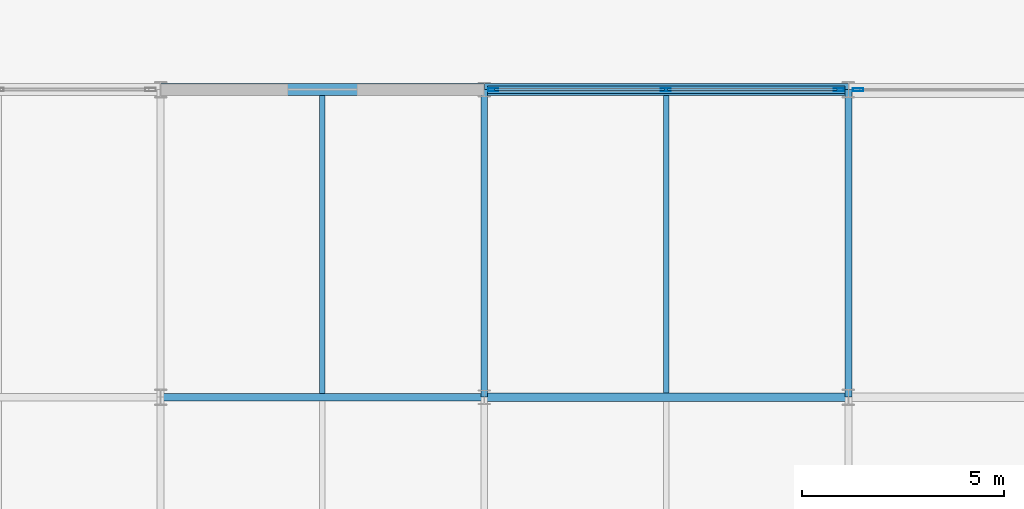
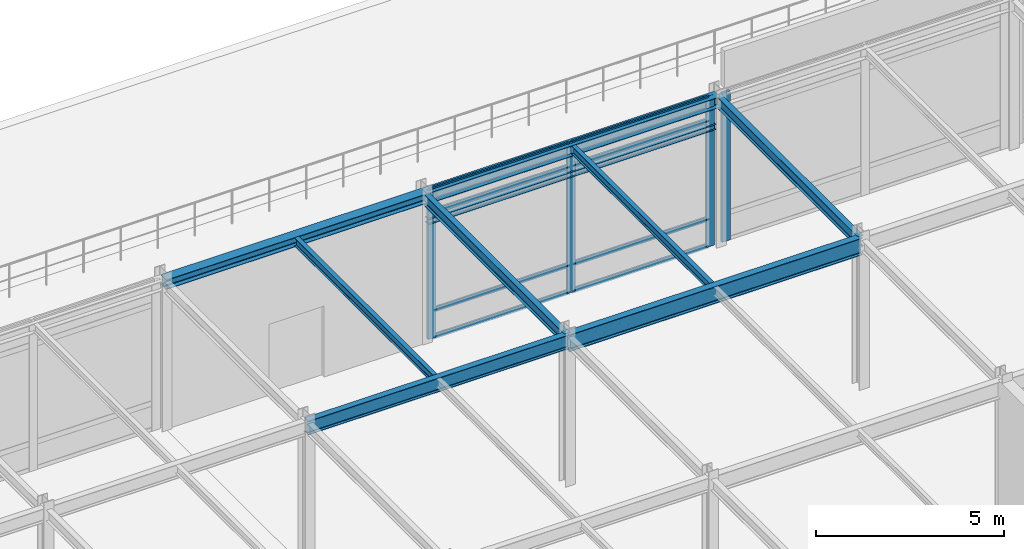
# One storey, part 43 of 79: 12 members, 9 beams, 2 elements without a shape of their own.
"""IFC4 building model written with IfcOpenShell, lengths in metres."""

from ifc_helpers import new_model, si_unit, direction, frame, origin, origin_2d, place, context, subcontext, project, spatial, hollow_rectangle, i_section, extrude, material, layer, layer_set, material_profile, profile_set, type_object, element, aggregate, save


model = new_model("IFC4")

# Units and contexts
model_context = context("Model", 3, precision=1e-05, world=origin(), true_north=direction((0.0, 1.0)))
body_context = subcontext(model_context, "Body", "Model", "MODEL_VIEW")
ifc_project = project(units=[si_unit("LENGTHUNIT", "METRE"), si_unit("AREAUNIT", "SQUARE_METRE"), si_unit("VOLUMEUNIT", "CUBIC_METRE"), si_unit("PLANEANGLEUNIT", "RADIAN"), si_unit("MASSUNIT", "GRAM", prefix="KILO")], contexts=[model_context])

# Site, building, storey
site_placement = place(None, origin())
site = spatial("IfcSite", under=ifc_project, at=site_placement, CompositionType="ELEMENT")
building_placement = place(site_placement, origin())
building = spatial("IfcBuilding", under=site, at=building_placement, Name="Shalkamar Park Central Library", CompositionType="ELEMENT")
storey_placement = place(building_placement, frame((0.0, 0.0, 10.5)))
storey = spatial("IfcBuildingStorey", under=building, at=storey_placement, Name="L03", CompositionType="ELEMENT", Elevation=10.5)

# Beams
ifc_material_1 = material(Name="Steel S355", Category="steel")
ifc_material_profile_1 = material_profile(ifc_material_1, i_section(OverallWidth=0.135009765625, OverallDepth=0.27001953125, WebThickness=0.006591796875, FlangeThickness=0.01025390625, FilletRadius=0.014892578125, at=origin_2d()), Name="IPE 270")
ifc_profile_set_1 = profile_set([ifc_material_profile_1], Name="Steel S355")
beam_type_1 = type_object("IfcBeamType", Name="Composite Floor Joist IPE270", PredefinedType="JOIST", material=ifc_profile_set_1)
beam_1_placement = place(storey_placement, frame((233.0, 316.093017578125, 4.705078125), z_axis=(0.0, 1.0, 0.0), x_axis=(-1.0, 0.0, 0.0)))
element("IfcBeam", 1, at=beam_1_placement, inside=storey, type_object=beam_type_1, Name="Composite Joist 15/L-1 (L03)", PredefinedType="JOIST", context=body_context, shape_type="SweptSolid", body=[
    extrude(i_section(OverallWidth=0.135009765625, OverallDepth=0.27001953125, WebThickness=0.006591796875, FlangeThickness=0.01025390625, FilletRadius=0.014892578125, at=origin_2d()), origin(), (0.0, 0.0, 1.0), 7.35888671875),
])
beam_2_placement = place(storey_placement, frame((241.5, 316.10302734375, 4.705078125), z_axis=(0.0, 1.0, 0.0), x_axis=(-1.0, 0.0, 0.0)))
element("IfcBeam", 2, at=beam_2_placement, inside=storey, type_object=beam_type_1, Name="Composite Joist 16/L-1 (L03)", PredefinedType="JOIST", context=body_context, shape_type="SweptSolid", body=[
    extrude(i_section(OverallWidth=0.135009765625, OverallDepth=0.27001953125, WebThickness=0.006591796875, FlangeThickness=0.01025390625, FilletRadius=0.014892578125, at=origin_2d()), origin(), (0.0, 0.0, 1.0), 7.348876953125),
])

# Curtain wall, members
ifc_material_2 = material(Name="Thermally broken aluminium and triple low-e curtain wall", Category="aluminium")
ifc_layer_1 = layer(ifc_material_2, 0.25)
ifc_layer_set_1 = layer_set([ifc_layer_1], Name="UnitisedCurtainWall_46")
curtain_wall_type_1 = type_object("IfcCurtainWallType", Name="Unitised Curtain Wall 46", PredefinedType="USERDEFINED", material=ifc_layer_set_1)
curtain_wall_1_placement = place(storey_placement, origin())
curtain_wall_1 = element("IfcCurtainWall", 3, at=curtain_wall_1_placement, inside=storey, type_object=curtain_wall_type_1, Name="Unitised Curtain Wall CW-L03-056", ObjectType="UNITISED CURTAIN WALL", PredefinedType="USERDEFINED")
ifc_material_3 = material(Name="Aluminium 6060-T66", Category="aluminium")
ifc_material_profile_2 = material_profile(ifc_material_3, hollow_rectangle(XDim=0.074951171875, YDim=0.25, WallThickness=0.00390625, InnerFilletRadius=0.00390625, OuterFilletRadius=0.006103515625, at=origin_2d()), Name="ALU 75x250x4")
ifc_profile_set_2 = profile_set([ifc_material_profile_2], Name="Aluminium 6060-T66")
member_type_1 = type_object("IfcMemberType", Name="Curtain Wall Mullion ALU75x250", PredefinedType="MULLION", material=ifc_profile_set_2)
member_1_placement = place(storey_placement, frame((237.221435546875, 323.60009765625, 0.0), z_axis=(0.0, 0.0, 1.0), x_axis=(0.0, 1.0, 0.0)))
member_1 = element("IfcMember", 4, at=member_1_placement, type_object=member_type_1, Name="CW-46 mullion 1", PredefinedType="MULLION", context=body_context, shape_type="SweptSolid", body=[
    extrude(hollow_rectangle(XDim=0.074951171875, YDim=0.25, WallThickness=0.00390625, InnerFilletRadius=0.00390625, OuterFilletRadius=0.006103515625, at=origin_2d()), origin(), (0.0, 0.0, 1.0), 4.840087890625),
])
member_2_placement = place(storey_placement, frame((241.489990234375, 323.60009765625, 0.0), z_axis=(0.0, 0.0, 1.0), x_axis=(0.0, 1.0, 0.0)))
member_2 = element("IfcMember", 5, at=member_2_placement, type_object=member_type_1, Name="CW-46 mullion 2", PredefinedType="MULLION", context=body_context, shape_type="SweptSolid", body=[
    extrude(hollow_rectangle(XDim=0.074951171875, YDim=0.25, WallThickness=0.00390625, InnerFilletRadius=0.00390625, OuterFilletRadius=0.006103515625, at=origin_2d()), origin(), (0.0, 0.0, 1.0), 4.840087890625),
])
member_3_placement = place(storey_placement, frame((245.758544921875, 323.60009765625, 0.0), z_axis=(0.0, 0.0, 1.0), x_axis=(0.0, 1.0, 0.0)))
member_3 = element("IfcMember", 6, at=member_3_placement, type_object=member_type_1, Name="CW-46 mullion 3", PredefinedType="MULLION", context=body_context, shape_type="SweptSolid", body=[
    extrude(hollow_rectangle(XDim=0.074951171875, YDim=0.25, WallThickness=0.00390625, InnerFilletRadius=0.00390625, OuterFilletRadius=0.006103515625, at=origin_2d()), origin(), (0.0, 0.0, 1.0), 4.840087890625),
])

# Curtain wall, member
ifc_layer_2 = layer(ifc_material_2, 0.260009765625)
ifc_layer_set_2 = layer_set([ifc_layer_2], Name="UnitisedCurtainWall_47")
curtain_wall_type_2 = type_object("IfcCurtainWallType", Name="Unitised Curtain Wall 47", PredefinedType="USERDEFINED", material=ifc_layer_set_2)
curtain_wall_2_placement = place(storey_placement, origin())
curtain_wall_2 = element("IfcCurtainWall", 7, at=curtain_wall_2_placement, inside=storey, type_object=curtain_wall_type_2, Name="Unitised Curtain Wall CW-L03-057", ObjectType="UNITISED CURTAIN WALL", PredefinedType="USERDEFINED")
ifc_material_profile_3 = material_profile(ifc_material_3, hollow_rectangle(XDim=0.074951171875, YDim=0.260009765625, WallThickness=0.00439453125, InnerFilletRadius=0.00439453125, OuterFilletRadius=0.0068359375, at=origin_2d()), Name="ALU 75x260x4.5")
ifc_profile_set_3 = profile_set([ifc_material_profile_3], Name="Aluminium 6060-T66")
member_type_2 = type_object("IfcMemberType", Name="Curtain Wall Mullion ALU75x260", PredefinedType="MULLION", material=ifc_profile_set_3)
member_4_placement = place(storey_placement, frame((246.241455078125, 323.60009765625, 0.0), z_axis=(0.0, 0.0, 1.0), x_axis=(0.0, 1.0, 0.0)))
member_4 = element("IfcMember", 8, at=member_4_placement, type_object=member_type_2, Name="CW-47 mullion 1", PredefinedType="MULLION", context=body_context, shape_type="SweptSolid", body=[
    extrude(hollow_rectangle(XDim=0.074951171875, YDim=0.260009765625, WallThickness=0.00439453125, InnerFilletRadius=0.00439453125, OuterFilletRadius=0.0068359375, at=origin_2d()), origin(), (0.0, 0.0, 1.0), 4.840087890625),
])
aggregate(curtain_wall_2, [member_4])

# Member
ifc_material_profile_4 = material_profile(ifc_material_3, hollow_rectangle(XDim=0.06005859375, YDim=0.159912109375, WallThickness=0.00390625, InnerFilletRadius=0.00390625, OuterFilletRadius=0.006103515625, at=origin_2d()), Name="ALU 60x160x4")
ifc_profile_set_4 = profile_set([ifc_material_profile_4], Name="Aluminium 6060-T66")
member_type_3 = type_object("IfcMemberType", Name="Curtain Wall Transom ALU60x160", PredefinedType="USERDEFINED", material=ifc_profile_set_4)
member_5_placement = place(storey_placement, frame((237.259033203125, 323.60009765625, 0.030029296875), z_axis=(1.0, 0.0, 0.0), x_axis=(0.0, 1.0, 0.0)))
member_5 = element("IfcMember", 9, at=member_5_placement, type_object=member_type_3, Name="CW-46 transom 1.1", ObjectType="TRANSOM", PredefinedType="USERDEFINED", context=body_context, shape_type="SweptSolid", body=[
    extrude(hollow_rectangle(XDim=0.06005859375, YDim=0.159912109375, WallThickness=0.00390625, InnerFilletRadius=0.00390625, OuterFilletRadius=0.006103515625, at=origin_2d()), origin(), (0.0, 0.0, 1.0), 4.193359375),
])

member_6_placement = place(storey_placement, frame((237.259033203125, 323.60009765625, 0.89990234375), z_axis=(1.0, 0.0, 0.0), x_axis=(0.0, 1.0, 0.0)))
member_6 = element("IfcMember", 10, at=member_6_placement, type_object=member_type_3, Name="CW-46 transom 1.2", ObjectType="TRANSOM", PredefinedType="USERDEFINED", context=body_context, shape_type="SweptSolid", body=[
    extrude(hollow_rectangle(XDim=0.06005859375, YDim=0.159912109375, WallThickness=0.00390625, InnerFilletRadius=0.00390625, OuterFilletRadius=0.006103515625, at=origin_2d()), origin(), (0.0, 0.0, 1.0), 4.193359375),
])

member_7_placement = place(storey_placement, frame((237.259033203125, 323.60009765625, 4.090087890625), z_axis=(1.0, 0.0, 0.0), x_axis=(0.0, 1.0, 0.0)))
member_7 = element("IfcMember", 11, at=member_7_placement, type_object=member_type_3, Name="CW-46 transom 1.3", ObjectType="TRANSOM", PredefinedType="USERDEFINED", context=body_context, shape_type="SweptSolid", body=[
    extrude(hollow_rectangle(XDim=0.06005859375, YDim=0.159912109375, WallThickness=0.00390625, InnerFilletRadius=0.00390625, OuterFilletRadius=0.006103515625, at=origin_2d()), origin(), (0.0, 0.0, 1.0), 4.193359375),
])

member_8_placement = place(storey_placement, frame((237.259033203125, 323.60009765625, 4.81005859375), z_axis=(1.0, 0.0, 0.0), x_axis=(0.0, 1.0, 0.0)))
member_8 = element("IfcMember", 12, at=member_8_placement, type_object=member_type_3, Name="CW-46 transom 1.4", ObjectType="TRANSOM", PredefinedType="USERDEFINED", context=body_context, shape_type="SweptSolid", body=[
    extrude(hollow_rectangle(XDim=0.06005859375, YDim=0.159912109375, WallThickness=0.00390625, InnerFilletRadius=0.00390625, OuterFilletRadius=0.006103515625, at=origin_2d()), origin(), (0.0, 0.0, 1.0), 4.193359375),
])

member_9_placement = place(storey_placement, frame((241.527587890625, 323.60009765625, 0.030029296875), z_axis=(1.0, 0.0, 0.0), x_axis=(0.0, 1.0, 0.0)))
member_9 = element("IfcMember", 13, at=member_9_placement, type_object=member_type_3, Name="CW-46 transom 2.1", ObjectType="TRANSOM", PredefinedType="USERDEFINED", context=body_context, shape_type="SweptSolid", body=[
    extrude(hollow_rectangle(XDim=0.06005859375, YDim=0.159912109375, WallThickness=0.00390625, InnerFilletRadius=0.00390625, OuterFilletRadius=0.006103515625, at=origin_2d()), origin(), (0.0, 0.0, 1.0), 4.193359375),
])

member_10_placement = place(storey_placement, frame((241.527587890625, 323.60009765625, 0.89990234375), z_axis=(1.0, 0.0, 0.0), x_axis=(0.0, 1.0, 0.0)))
member_10 = element("IfcMember", 14, at=member_10_placement, type_object=member_type_3, Name="CW-46 transom 2.2", ObjectType="TRANSOM", PredefinedType="USERDEFINED", context=body_context, shape_type="SweptSolid", body=[
    extrude(hollow_rectangle(XDim=0.06005859375, YDim=0.159912109375, WallThickness=0.00390625, InnerFilletRadius=0.00390625, OuterFilletRadius=0.006103515625, at=origin_2d()), origin(), (0.0, 0.0, 1.0), 4.193359375),
])

member_11_placement = place(storey_placement, frame((241.527587890625, 323.60009765625, 4.090087890625), z_axis=(1.0, 0.0, 0.0), x_axis=(0.0, 1.0, 0.0)))
member_11 = element("IfcMember", 15, at=member_11_placement, type_object=member_type_3, Name="CW-46 transom 2.3", ObjectType="TRANSOM", PredefinedType="USERDEFINED", context=body_context, shape_type="SweptSolid", body=[
    extrude(hollow_rectangle(XDim=0.06005859375, YDim=0.159912109375, WallThickness=0.00390625, InnerFilletRadius=0.00390625, OuterFilletRadius=0.006103515625, at=origin_2d()), origin(), (0.0, 0.0, 1.0), 4.193359375),
])

member_12_placement = place(storey_placement, frame((241.527587890625, 323.60009765625, 4.81005859375), z_axis=(1.0, 0.0, 0.0), x_axis=(0.0, 1.0, 0.0)))
member_12 = element("IfcMember", 16, at=member_12_placement, type_object=member_type_3, Name="CW-46 transom 2.4", ObjectType="TRANSOM", PredefinedType="USERDEFINED", context=body_context, shape_type="SweptSolid", body=[
    extrude(hollow_rectangle(XDim=0.06005859375, YDim=0.159912109375, WallThickness=0.00390625, InnerFilletRadius=0.00390625, OuterFilletRadius=0.006103515625, at=origin_2d()), origin(), (0.0, 0.0, 1.0), 4.193359375),
])

aggregate(curtain_wall_1, [member_1, member_2, member_3, member_5, member_6, member_7, member_8, member_9, member_10, member_11, member_12])

# Beams
ifc_material_profile_5 = material_profile(ifc_material_1, i_section(OverallWidth=0.179931640625, OverallDepth=0.1708984375, WebThickness=0.006103515625, FlangeThickness=0.009521484375, FilletRadius=0.014892578125, at=origin_2d()), Name="HEA 180")
ifc_profile_set_5 = profile_set([ifc_material_profile_5], Name="Steel S355")
beam_type_2 = type_object("IfcBeamType", Name="Opening Lintel Beam HEA180", PredefinedType="LINTEL", material=ifc_profile_set_5)
beam_3_placement = place(storey_placement, frame((237.080078125, 323.60009765625, 3.85009765625), z_axis=(1.0, 0.0, 0.0), x_axis=(0.0, 1.0, 0.0)))
element("IfcBeam", 17, at=beam_3_placement, inside=storey, type_object=beam_type_2, Name="Opening Lintel L03-34", PredefinedType="LINTEL", context=body_context, shape_type="SweptSolid", body=[
    extrude(i_section(OverallWidth=0.179931640625, OverallDepth=0.1708984375, WebThickness=0.006103515625, FlangeThickness=0.009521484375, FilletRadius=0.014892578125, at=origin_2d()), origin(), (0.0, 0.0, 1.0), 8.83984375),
])
ifc_material_profile_6 = material_profile(ifc_material_1, i_section(OverallWidth=0.300048828125, OverallDepth=0.31005859375, WebThickness=0.009033203125, FlangeThickness=0.015380859375, FilletRadius=0.027099609375, at=origin_2d()), Name="HEA 320")
ifc_profile_set_6 = profile_set([ifc_material_profile_6], Name="Steel S355")
beam_type_3 = type_object("IfcBeamType", Name="Perimeter Spandrel Beam HEA320", PredefinedType="SPANDREL", material=ifc_profile_set_6)
beam_4_placement = place(storey_placement, frame((229.0, 323.60009765625, 4.68505859375), z_axis=(1.0, 0.0, 0.0), x_axis=(0.0, 1.0, 0.0)))
element("IfcBeam", 18, at=beam_4_placement, inside=storey, type_object=beam_type_3, Name="Beam M:15-16 (L03)", PredefinedType="SPANDREL", context=body_context, shape_type="SweptSolid", body=[
    extrude(i_section(OverallWidth=0.300048828125, OverallDepth=0.31005859375, WebThickness=0.009033203125, FlangeThickness=0.015380859375, FilletRadius=0.027099609375, at=origin_2d()), origin(), (0.0, 0.0, 1.0), 8.0),
])
ifc_material_profile_7 = material_profile(ifc_material_1, i_section(OverallWidth=0.300048828125, OverallDepth=0.35009765625, WebThickness=0.010009765625, FlangeThickness=0.017578125, FilletRadius=0.027099609375, at=origin_2d()), Name="HEA 360")
ifc_profile_set_7 = profile_set([ifc_material_profile_7], Name="Steel S355")
beam_type_4 = type_object("IfcBeamType", Name="Perimeter Spandrel Beam HEA360", PredefinedType="SPANDREL", material=ifc_profile_set_7)
beam_5_placement = place(storey_placement, frame((237.0, 323.60009765625, 4.6650390625), z_axis=(1.0, 0.0, 0.0), x_axis=(0.0, 1.0, 0.0)))
element("IfcBeam", 19, at=beam_5_placement, inside=storey, type_object=beam_type_4, Name="Beam M:16-17 (L03)", PredefinedType="SPANDREL", context=body_context, shape_type="SweptSolid", body=[
    extrude(i_section(OverallWidth=0.300048828125, OverallDepth=0.35009765625, WebThickness=0.010009765625, FlangeThickness=0.017578125, FilletRadius=0.027099609375, at=origin_2d()), origin(), (0.0, 0.0, 1.0), 9.0),
])
ifc_material_profile_8 = material_profile(ifc_material_1, i_section(OverallWidth=0.169921875, OverallDepth=0.360107421875, WebThickness=0.008056640625, FlangeThickness=0.0126953125, FilletRadius=0.01806640625, at=origin_2d()), Name="IPE 360")
ifc_profile_set_8 = profile_set([ifc_material_profile_8], Name="Steel S355")
beam_type_5 = type_object("IfcBeamType", Name="Primary Girder IPE360", PredefinedType="BEAM", material=ifc_profile_set_8)
for number, where, z_axis, x_axis, name in (
    (20, (237.0, 316.0, 4.659912109375), (0.0, 1.0, 0.0), (-1.0, 0.0, 0.0), "Beam 16:L-M (L03)"),
    (21, (246.0, 316.0, 4.659912109375), (0.0, 1.0, 0.0), (-1.0, 0.0, 0.0), "Beam 17:L-M (L03)"),
):
    element("IfcBeam", number, at=place(storey_placement, frame(where, z_axis=z_axis, x_axis=x_axis)), inside=storey, type_object=beam_type_5, Name=name, PredefinedType="BEAM", context=body_context, shape_type="SweptSolid", body=[
        extrude(i_section(OverallWidth=0.169921875, OverallDepth=0.360107421875, WebThickness=0.008056640625, FlangeThickness=0.0126953125, FilletRadius=0.01806640625, at=origin_2d()), origin(), (0.0, 0.0, 1.0), 7.60009765625),
    ])
ifc_material_profile_9 = material_profile(ifc_material_1, i_section(OverallWidth=0.18994140625, OverallDepth=0.449951171875, WebThickness=0.009521484375, FlangeThickness=0.0146484375, FilletRadius=0.02099609375, at=origin_2d()), Name="IPE 450")
ifc_profile_set_9 = profile_set([ifc_material_profile_9], Name="Steel S355")
beam_type_6 = type_object("IfcBeamType", Name="Primary Girder IPE450", PredefinedType="BEAM", material=ifc_profile_set_9)
beam_6_placement = place(storey_placement, frame((229.0, 316.0, 4.614990234375), z_axis=(1.0, 0.0, 0.0), x_axis=(0.0, 1.0, 0.0)))
element("IfcBeam", 22, at=beam_6_placement, inside=storey, type_object=beam_type_6, Name="Beam L:15-16 (L03)", PredefinedType="BEAM", context=body_context, shape_type="SweptSolid", body=[
    extrude(i_section(OverallWidth=0.18994140625, OverallDepth=0.449951171875, WebThickness=0.009521484375, FlangeThickness=0.0146484375, FilletRadius=0.02099609375, at=origin_2d()), origin(), (0.0, 0.0, 1.0), 8.0),
])
ifc_material_profile_10 = material_profile(ifc_material_1, i_section(OverallWidth=0.2099609375, OverallDepth=0.550048828125, WebThickness=0.010986328125, FlangeThickness=0.01708984375, FilletRadius=0.02392578125, at=origin_2d()), Name="IPE 550")
ifc_profile_set_10 = profile_set([ifc_material_profile_10], Name="Steel S355")
beam_type_7 = type_object("IfcBeamType", Name="Primary Girder IPE550", PredefinedType="BEAM", material=ifc_profile_set_10)
beam_7_placement = place(storey_placement, frame((237.0, 316.0, 4.56494140625), z_axis=(1.0, 0.0, 0.0), x_axis=(0.0, 1.0, 0.0)))
element("IfcBeam", 23, at=beam_7_placement, inside=storey, type_object=beam_type_7, Name="Beam L:16-17 (L03)", PredefinedType="BEAM", context=body_context, shape_type="SweptSolid", body=[
    extrude(i_section(OverallWidth=0.2099609375, OverallDepth=0.550048828125, WebThickness=0.010986328125, FlangeThickness=0.01708984375, FilletRadius=0.02392578125, at=origin_2d()), origin(), (0.0, 0.0, 1.0), 9.0),
])

save(model, "model.ifc")
